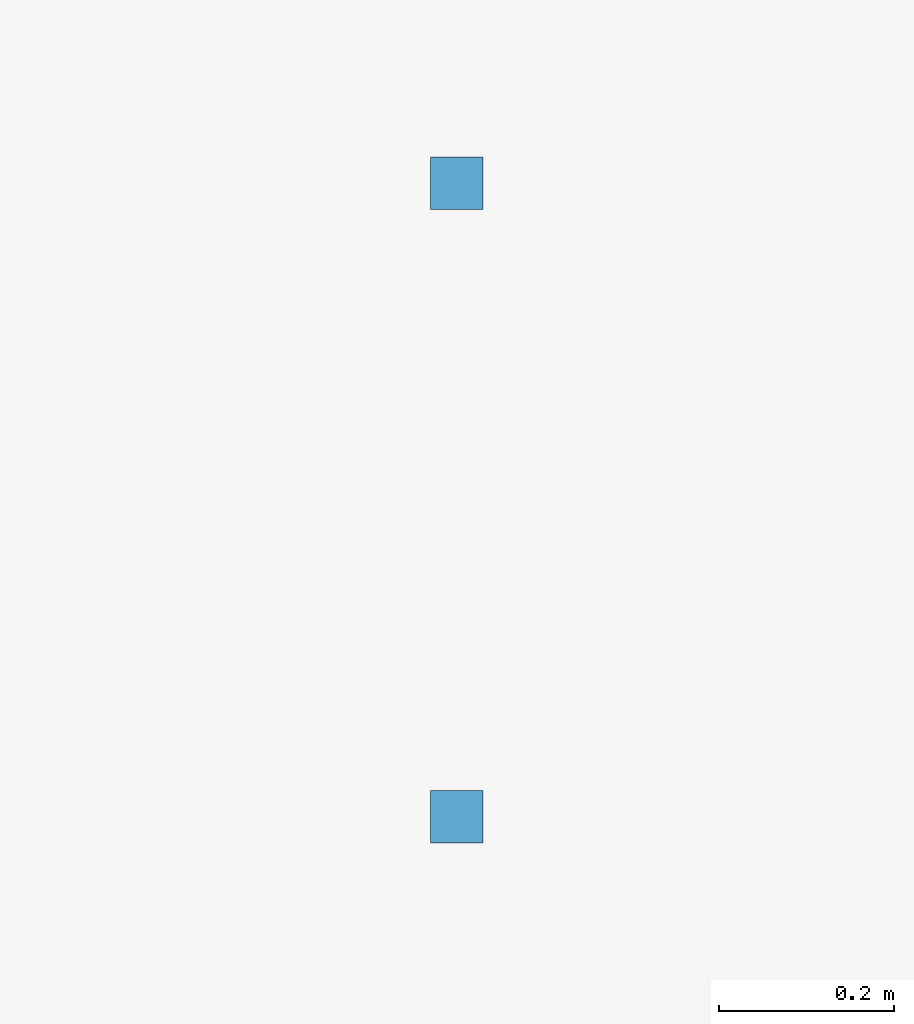
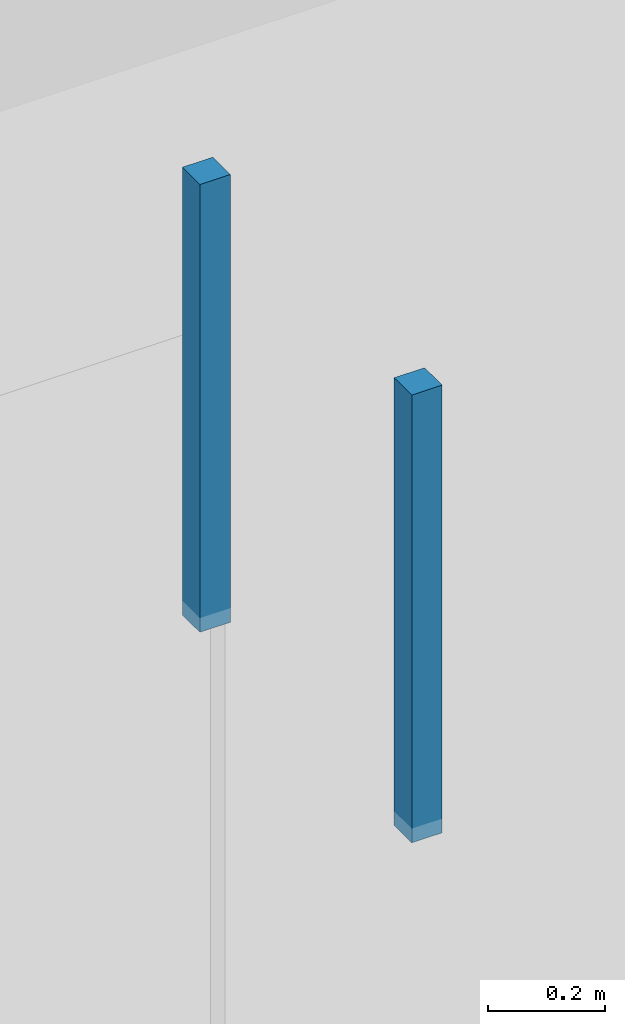
# One storey, part 15 of 36: 2 discrete accessories.
"""IFC4 building model written with IfcOpenShell, lengths in metres."""

import ifcopenshell
import ifcopenshell.guid

model = None  # the IFC model being written
_history = None  # IfcOwnerHistory: only IFC2X3 demands one
_inside = {}  # id of a spatial element -> (the spatial element, [elements in it])
_under = {}  # id of a project, library or spatial element -> (it, [spatial elements below it])
_declared = {}  # id of a project -> (the project, [libraries it declares])
_typed = {}  # id of a type object -> (the type object, [elements of that type])
_made_of = {}  # id of a material, layer set ... -> (it, [elements and type objects made of it])


def new_model(schema):
    """Start an empty IFC model of exactly this schema.

    Asked for "IFC4X3", IfcOpenShell would pick the latest addendum, in which some entities
    have other attributes; the version numbers below select the first issue.
    IFC2X3 requires an IfcOwnerHistory on every rooted entity: one is made here for all.
    """
    global model, _history
    if schema == "IFC4X3":
        model = ifcopenshell.file(schema_version=(4, 3, 0, 0))
    else:
        model = ifcopenshell.file(schema=schema)
    _inside.clear()
    _under.clear()
    _declared.clear()
    _typed.clear()
    _made_of.clear()
    _history = None
    if model.schema == "IFC2X3":
        org = make("IfcOrganization", Name="unknown")
        user = make(
            "IfcPersonAndOrganization",
            ThePerson=make("IfcPerson", FamilyName="unknown"),
            TheOrganization=org,
        )
        app = make(
            "IfcApplication",
            ApplicationDeveloper=org,
            Version="unknown",
            ApplicationFullName="unknown",
            ApplicationIdentifier="unknown",
        )
        _history = make(
            "IfcOwnerHistory",
            OwningUser=user,
            OwningApplication=app,
            ChangeAction="ADDED",
            CreationDate=0,
        )
    return model


def make(cls, **values):
    """One entity of the class cls with the attributes given. An attribute that is None is left unset."""
    return model.create_entity(
        cls, **{name: value for name, value in values.items() if value is not None}
    )


def rooted(cls, **values):
    """An entity with a GlobalId (a new one), such as an element, a storey or a relation."""
    return make(cls, GlobalId=ifcopenshell.guid.new(), OwnerHistory=_history, **values)


def si_unit(unit_type, name, prefix=None):
    """IfcSIUnit, for example si_unit("LENGTHUNIT", "METRE", prefix="MILLI")."""
    return make("IfcSIUnit", UnitType=unit_type, Prefix=prefix, Name=name)


def assignment(units):
    """IfcUnitAssignment: the units of a project."""
    return None if units is None else make("IfcUnitAssignment", Units=units)


def point(xyz):
    """IfcCartesianPoint."""
    return None if xyz is None else make("IfcCartesianPoint", Coordinates=xyz)


def direction(xyz):
    """IfcDirection."""
    return None if xyz is None else make("IfcDirection", DirectionRatios=xyz)


def frame(location, z_axis=None, x_axis=None):
    """IfcAxis2Placement3D, a coordinate frame: its origin and axes. An axis left out is left unset."""
    return make(
        "IfcAxis2Placement3D",
        Location=point(location),
        Axis=direction(z_axis),
        RefDirection=direction(x_axis),
    )


def frame_2d(location, x_axis=None):
    """IfcAxis2Placement2D, a coordinate frame in the plane: its origin and x axis."""
    return make(
        "IfcAxis2Placement2D", Location=point(location), RefDirection=direction(x_axis)
    )


def origin():
    """The frame at (0, 0, 0) with its axes left unset."""
    return frame((0.0, 0.0, 0.0))


def origin_2d():
    """The frame at (0, 0) in the plane with its x axis left unset."""
    return frame_2d((0.0, 0.0))


def place(relative_to, where):
    """IfcLocalPlacement: puts the frame where relative to a parent placement (None: the world)."""
    return make(
        "IfcLocalPlacement", PlacementRelTo=relative_to, RelativePlacement=where
    )


def context(
    kind, dimensions, precision=None, world=None, true_north=None, identifier=None
):
    """IfcGeometricRepresentationContext, for example the 3D "Model" context."""
    return make(
        "IfcGeometricRepresentationContext",
        ContextIdentifier=identifier,
        ContextType=kind,
        CoordinateSpaceDimension=dimensions,
        Precision=precision,
        WorldCoordinateSystem=world,
        TrueNorth=true_north,
    )


def subcontext(parent, identifier, kind, view, scale=None):
    """IfcGeometricRepresentationSubContext, for example "Body" below "Model"."""
    return make(
        "IfcGeometricRepresentationSubContext",
        ContextIdentifier=identifier,
        ContextType=kind,
        ParentContext=parent,
        TargetScale=scale,
        TargetView=view,
    )


def project(units=None, contexts=None):
    """IfcProject with its units and contexts."""
    return rooted(
        "IfcProject",
        Name="project",
        RepresentationContexts=contexts,
        UnitsInContext=assignment(units),
    )


def spatial(cls, under=None, at=None, **own):
    """A site, building, storey or space (cls), placed at a placement, below another one or the project."""
    s = rooted(cls, ObjectPlacement=at, **own)
    if under is not None:
        _under.setdefault(under.id(), (under, []))[1].append(s)
    return s


def profile(cls, at=None, kind="AREA", **sizes):
    """A parametric profile (cls). Its sizes go by their IFC names, for example OverallWidth=200.0."""
    return make(cls, ProfileType=kind, Position=at, **sizes)


def rectangle(**sizes):
    """IfcRectangleProfileDef."""
    return profile("IfcRectangleProfileDef", **sizes)


def extrude(swept, where, along, depth):
    """IfcExtrudedAreaSolid: the profile swept, set in the frame where, extruded along a direction by depth."""
    return make(
        "IfcExtrudedAreaSolid",
        SweptArea=swept,
        Position=where,
        ExtrudedDirection=direction(along),
        Depth=depth,
    )


def shape(context_of_items, identifier, shape_type, items):
    """IfcShapeRepresentation: the items that make up one representation, for example the "Body"."""
    return make(
        "IfcShapeRepresentation",
        ContextOfItems=context_of_items,
        RepresentationIdentifier=identifier,
        RepresentationType=shape_type,
        Items=items,
    )


def material(Name=None, Category=None):
    """IfcMaterial."""
    return make("IfcMaterial", Name=Name, Category=Category)


def made_of(thing, what):
    """Note that an element or type object is made of a material, layer set ...; save() writes the relation."""
    if what is not None:
        _made_of.setdefault(what.id(), (what, []))[1].append(thing)
    return thing


def type_object(cls, material=None, **own):
    """A type object (cls), such as IfcWallType, which elements share."""
    return made_of(rooted(cls, **own), material)


def element(
    cls,
    number,
    at=None,
    inside=None,
    cuts=None,
    type_object=None,
    material=None,
    context=None,
    identifier="Body",
    shape_type=None,
    held_by="IfcProductDefinitionShape",
    body=None,
    shapes=None,
    **own,
):
    """One element of the class cls, such as IfcWall. Its Tag is "e" and its number.

    at: its placement. inside: the storey or other place that contains it. cuts: it is an
    opening in that element (IfcRelVoidsElement). A single representation is given by context,
    identifier, shape_type and body (its items); several are given by shapes. held_by: the class
    of the entity that holds the representations. save() writes the other relations.
    """
    e = rooted(cls, Tag="e%d" % number, ObjectPlacement=at, **own)
    if body is not None:
        shapes = [shape(context, identifier, shape_type, body)]
    if shapes is not None:
        e.Representation = make(held_by, Representations=shapes)
    if inside is not None:
        _inside.setdefault(inside.id(), (inside, []))[1].append(e)
    if cuts is not None:
        rooted(
            "IfcRelVoidsElement", RelatingBuildingElement=cuts, RelatedOpeningElement=e
        )
    if type_object is not None:
        _typed.setdefault(type_object.id(), (type_object, []))[1].append(e)
    return made_of(e, material)


def aggregate(whole, parts):
    """IfcRelAggregates: a whole, such as a stair, and the parts it consists of."""
    return rooted("IfcRelAggregates", RelatingObject=whole, RelatedObjects=parts)


def save(model, path):
    """Write the relations noted so far, then the file.

    IfcRelAggregates (storeys below a building ...), IfcRelContainedInSpatialStructure (elements
    in a storey), IfcRelDefinesByType, IfcRelAssociatesMaterial and IfcRelDeclares: one each for
    every whole, place, type object, material and project.
    """
    for whole, parts in _under.values():
        aggregate(whole, parts)
    for where, things in _inside.values():
        rooted(
            "IfcRelContainedInSpatialStructure",
            RelatedElements=things,
            RelatingStructure=where,
        )
    for kind, things in _typed.values():
        rooted("IfcRelDefinesByType", RelatedObjects=things, RelatingType=kind)
    for what, things in _made_of.values():
        rooted("IfcRelAssociatesMaterial", RelatedObjects=things, RelatingMaterial=what)
    for by, libraries in _declared.values():
        rooted("IfcRelDeclares", RelatingContext=by, RelatedDefinitions=libraries)
    model.write(path)


model = new_model("IFC4")

# Units and contexts
model_context = context("Model", 3, precision=1e-05, world=origin(), true_north=direction((0.0, 1.0)))
body_context = subcontext(model_context, "Body", "Model", "MODEL_VIEW")
ifc_project = project(units=[si_unit("LENGTHUNIT", "METRE"), si_unit("AREAUNIT", "SQUARE_METRE"), si_unit("VOLUMEUNIT", "CUBIC_METRE"), si_unit("PLANEANGLEUNIT", "RADIAN"), si_unit("MASSUNIT", "GRAM", prefix="KILO")], contexts=[model_context])

# Site, building, storey
site_placement = place(None, origin())
site = spatial("IfcSite", under=ifc_project, at=site_placement, CompositionType="ELEMENT")
building_placement = place(site_placement, origin())
building = spatial("IfcBuilding", under=site, at=building_placement, Name="Telukmera Botanical Conservatory", CompositionType="ELEMENT")
storey_placement = place(building_placement, frame((0.0, 0.0, 24.0)))
storey = spatial("IfcBuildingStorey", under=building, at=storey_placement, Name="L05", CompositionType="ELEMENT", Elevation=24.0)

# Discrete accessories
ifc_material = material(Name="Steel S355", Category="steel")
discrete_accessory_type = type_object("IfcDiscreteAccessoryType", Name="ACC-CEIL-HGR", PredefinedType="BRACKET", material=ifc_material)
for number, where, z_axis, x_axis, name in (
    (1, (77.713134765625, 11.125, 3.320068359375), (0.0, 0.0, 1.0), (1.0, 0.0, 0.0), "L05 Suspended Ceiling Hanger Rod 033-1"),
    (2, (77.713134765625, 11.85009765625, 3.320068359375), (0.0, 0.0, 1.0), (1.0, 0.0, 0.0), "L05 Suspended Ceiling Hanger Rod 033-2"),
):
    element("IfcDiscreteAccessory", number, at=place(storey_placement, frame(where, z_axis=z_axis, x_axis=x_axis)), inside=storey, type_object=discrete_accessory_type, Name=name, PredefinedType="BRACKET", context=body_context, shape_type="SweptSolid", body=[
        extrude(rectangle(XDim=0.06005859375, YDim=0.06005859375, at=origin_2d()), origin(), (0.0, 0.0, 1.0), 0.93505859375),
    ])

save(model, "model.ifc")
